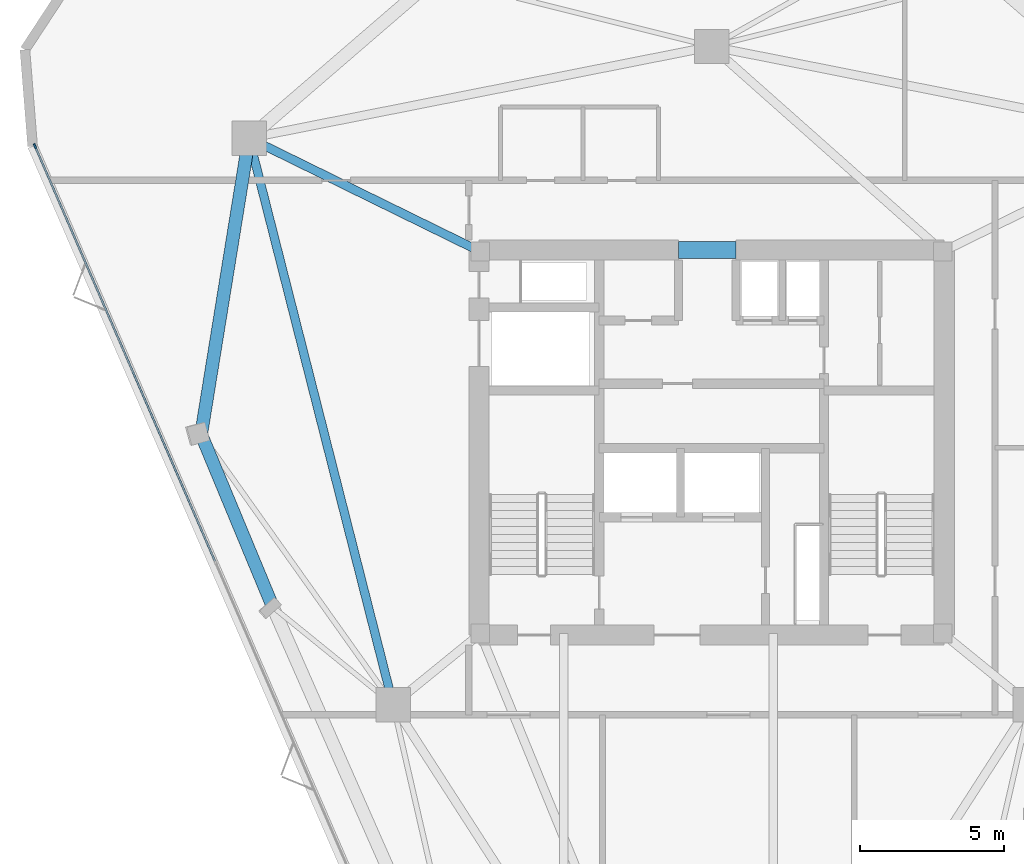
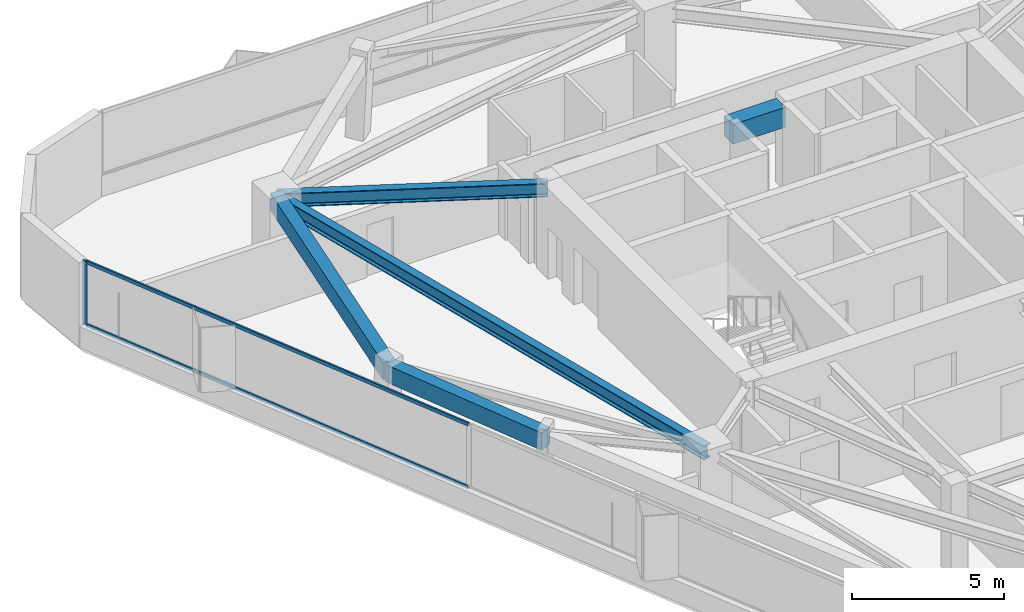
# One storey, part 5 of 11: 5 beams, 3 members, 1 element without a shape of its own.
"""IFC4 building model written with IfcOpenShell, lengths in metres."""

from ifc_helpers import new_model, si_unit, direction, frame, origin, origin_2d, place, context, subcontext, project, spatial, rectangle, i_section, extrude, material, layer, layer_set, material_profile, profile_set, type_object, element, aggregate, save


model = new_model("IFC4")

# Units and contexts
model_context = context("Model", 3, precision=1e-05, world=origin(), true_north=direction((0.0, 1.0)))
body_context = subcontext(model_context, "Body", "Model", "MODEL_VIEW")
ifc_project = project(units=[si_unit("LENGTHUNIT", "METRE"), si_unit("AREAUNIT", "SQUARE_METRE"), si_unit("VOLUMEUNIT", "CUBIC_METRE"), si_unit("PLANEANGLEUNIT", "RADIAN"), si_unit("MASSUNIT", "GRAM", prefix="KILO")], contexts=[model_context])

# Site, building, storey
site_placement = place(None, origin())
site = spatial("IfcSite", under=ifc_project, at=site_placement, CompositionType="ELEMENT")
building_placement = place(site_placement, origin())
building = spatial("IfcBuilding", under=site, at=building_placement, Name="Talyreon Biosciences Tower", CompositionType="ELEMENT")
storey_placement = place(building_placement, frame((0.0, 0.0, 242.550048828125)))
storey = spatial("IfcBuildingStorey", under=building, at=storey_placement, Name="L64", CompositionType="ELEMENT", Elevation=242.550048828125)

# Curtain wall, members
ifc_material_1 = material(Name="Thermally broken aluminium and low-E glazing", Category="aluminium")
ifc_layer = layer(ifc_material_1, 0.175048828125)
ifc_layer_set = layer_set([ifc_layer], Name="Thermally broken aluminium and low-E glazing")
curtain_wall_type = type_object("IfcCurtainWallType", Name="CurtainWall_Zone5CompLab", PredefinedType="NOTDEFINED", material=ifc_layer_set)
curtain_wall_placement = place(storey_placement, origin())
curtain_wall = element("IfcCurtainWall", 1, at=curtain_wall_placement, inside=storey, type_object=curtain_wall_type, Name="L64 Unitised Curtain Wall FCW-L64-00", PredefinedType="NOTDEFINED")
ifc_material_2 = material(Name="Anodised thermally broken aluminium", Category="aluminium")
ifc_material_profile_1 = material_profile(ifc_material_2, rectangle(XDim=0.06494140625, YDim=0.179931640625, at=origin_2d()), Name="ALUM MULLION 65x180")
ifc_profile_set_1 = profile_set([ifc_material_profile_1], Name="Anodised thermally broken aluminium")
member_type_1 = type_object("IfcMemberType", Name="CWMullion_65x180", PredefinedType="MULLION", material=ifc_profile_set_1)
member_1_placement = place(storey_placement, frame((42.4462890625, 78.31787109375, 0.81005859375), z_axis=(0.0, 0.0, 1.0), x_axis=(-0.917458244079, -0.397832088162, 0.0)))
member_1 = element("IfcMember", 2, at=member_1_placement, type_object=member_type_1, Name="CW6 mullion 4", PredefinedType="MULLION", context=body_context, shape_type="SweptSolid", body=[
    extrude(rectangle(XDim=0.06494140625, YDim=0.179931640625, at=origin_2d()), origin(), (0.0, 0.0, 1.0), 2.58984375),
])
ifc_material_profile_2 = material_profile(ifc_material_2, rectangle(XDim=0.06494140625, YDim=0.139892578125, at=origin_2d()), Name="ALUM TRANSOM 65x140")
ifc_profile_set_2 = profile_set([ifc_material_profile_2], Name="Anodised thermally broken aluminium")
member_type_2 = type_object("IfcMemberType", Name="CWTransom_65x140", PredefinedType="USERDEFINED", material=ifc_profile_set_2)
member_2_placement = place(storey_placement, frame((48.710205078125, 63.87255859375, 0.842529296875), z_axis=(-0.397835044798, 0.917456962004, 0.0), x_axis=(-0.917456962004, -0.397835044798, 0.0)))
member_2 = element("IfcMember", 3, at=member_2_placement, type_object=member_type_2, Name="CW6 transom 3.1", ObjectType="TRANSOM", PredefinedType="USERDEFINED", context=body_context, shape_type="SweptSolid", body=[
    extrude(rectangle(XDim=0.06494140625, YDim=0.139892578125, at=origin_2d()), origin(), (0.0, 0.0, 1.0), 15.71240234375),
])
member_3_placement = place(storey_placement, frame((48.710205078125, 63.87255859375, 3.367431640625), z_axis=(-0.397835044798, 0.917456962004, 0.0), x_axis=(-0.917456962004, -0.397835044798, 0.0)))
member_3 = element("IfcMember", 4, at=member_3_placement, type_object=member_type_2, Name="CW6 transom 3.2", ObjectType="TRANSOM", PredefinedType="USERDEFINED", context=body_context, shape_type="SweptSolid", body=[
    extrude(rectangle(XDim=0.06494140625, YDim=0.139892578125, at=origin_2d()), origin(), (0.0, 0.0, 1.0), 15.71240234375),
])
aggregate(curtain_wall, [member_1, member_2, member_3])

# Beams
ifc_material_3 = material(Name="Concrete C50/60", Category="concrete")
ifc_material_profile_3 = material_profile(ifc_material_3, rectangle(XDim=0.60009765625, YDim=0.800048828125, at=origin_2d()), Name="RCB 600x800")
ifc_profile_set_3 = profile_set([ifc_material_profile_3], Name="Concrete C50/60")
beam_type_1 = type_object("IfcBeamType", Name="CoreCouplingLintel_600x800", PredefinedType="LINTEL", material=ifc_profile_set_3)
beam_1_placement = place(storey_placement, frame((64.85009765625, 74.699951171875, 3.0), z_axis=(1.0, 0.0, 0.0), x_axis=(0.0, 1.0, 0.0)))
element("IfcBeam", 5, at=beam_1_placement, inside=storey, type_object=beam_type_1, Name="L64 Core Coupling Lintel", PredefinedType="LINTEL", context=body_context, shape_type="SweptSolid", body=[
    extrude(rectangle(XDim=0.60009765625, YDim=0.800048828125, at=origin_2d()), origin(), (0.0, 0.0, 1.0), 2.0),
])
ifc_material_4 = material(Name="Precast concrete C45/55", Category="concrete")
ifc_material_profile_4 = material_profile(ifc_material_4, rectangle(XDim=0.449951171875, YDim=0.699951171875, at=origin_2d()), Name="RCB 450x700")
ifc_profile_set_4 = profile_set([ifc_material_profile_4], Name="Precast concrete C45/55")
beam_type_2 = type_object("IfcBeamType", Name="ExpressedSpandrel_450x700", PredefinedType="SPANDREL", material=ifc_profile_set_4)
beam_2_placement = place(storey_placement, frame((49.897705078125, 78.5986328125, 3.050048828125), z_axis=(-0.159707939171, -0.987164309609, 0.0), x_axis=(0.987164309609, -0.159707939171, 0.0)))
element("IfcBeam", 6, at=beam_2_placement, inside=storey, type_object=beam_type_2, Name="L64 Expressed Horizontal Concrete Spandrel 09", PredefinedType="SPANDREL", context=body_context, shape_type="SweptSolid", body=[
    extrude(rectangle(XDim=0.449951171875, YDim=0.699951171875, at=origin_2d()), origin(), (0.0, 0.0, 1.0), 10.44384765625),
])
beam_3_placement = place(storey_placement, frame((48.229736328125, 68.288818359375, 3.050048828125), z_axis=(0.383518269665, -0.92353328951, 0.0), x_axis=(0.92353328951, 0.383518269665, 0.0)))
element("IfcBeam", 7, at=beam_3_placement, inside=storey, type_object=beam_type_2, Name="L64 Expressed Horizontal Concrete Spandrel 10", PredefinedType="SPANDREL", context=body_context, shape_type="SweptSolid", body=[
    extrude(rectangle(XDim=0.449951171875, YDim=0.699951171875, at=origin_2d()), origin(), (0.0, 0.0, 1.0), 6.511474609375),
])
ifc_material_5 = material(Name="Steel SM355", Category="steel")
ifc_material_profile_5 = material_profile(ifc_material_5, i_section(OverallWidth=0.300048828125, OverallDepth=0.550048828125, WebThickness=0.014892578125, FlangeThickness=0.029052734375, FilletRadius=0.027099609375, at=origin_2d()), Name="HE550B")
ifc_profile_set_5 = profile_set([ifc_material_profile_5], Name="Steel SM355")
beam_type_3 = type_object("IfcBeamType", Name="SteelBeam_HE550B", PredefinedType="BEAM", material=ifc_profile_set_5)
beam_4_placement = place(storey_placement, frame((49.897705078125, 78.5986328125, 3.125), z_axis=(0.246537082299, -0.969133358755, 0.0), x_axis=(0.969133358755, 0.246537082299, 0.0)))
element("IfcBeam", 8, at=beam_4_placement, inside=storey, type_object=beam_type_3, Name="L64 Mega-Ring Girder 5", PredefinedType="BEAM", context=body_context, shape_type="SweptSolid", body=[
    extrude(i_section(OverallWidth=0.300048828125, OverallDepth=0.550048828125, WebThickness=0.014892578125, FlangeThickness=0.029052734375, FilletRadius=0.027099609375, at=origin_2d()), origin(), (0.0, 0.0, 1.0), 20.34619140625),
])
beam_5_placement = place(storey_placement, frame((57.949951171875, 74.64990234375, 3.125), z_axis=(-0.897852360314, 0.440296648952, 0.0), x_axis=(-0.440296648952, -0.897852360314, 0.0)))
element("IfcBeam", 9, at=beam_5_placement, inside=storey, type_object=beam_type_3, Name="L64 Radial Primary Girder 5", PredefinedType="BEAM", context=body_context, shape_type="SweptSolid", body=[
    extrude(i_section(OverallWidth=0.300048828125, OverallDepth=0.550048828125, WebThickness=0.014892578125, FlangeThickness=0.029052734375, FilletRadius=0.027099609375, at=origin_2d()), origin(), (0.0, 0.0, 1.0), 8.96826171875),
])

save(model, "model.ifc")
